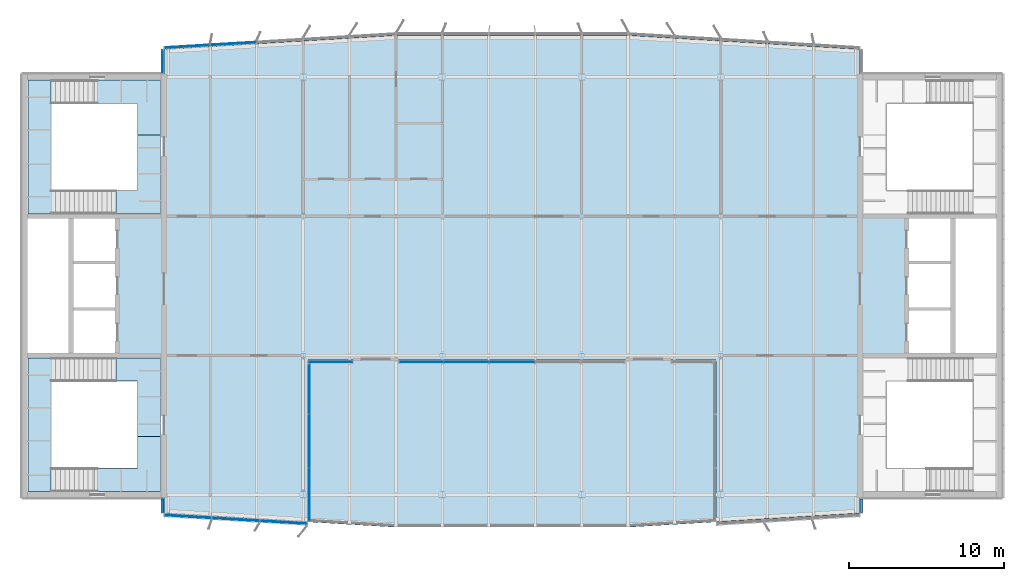
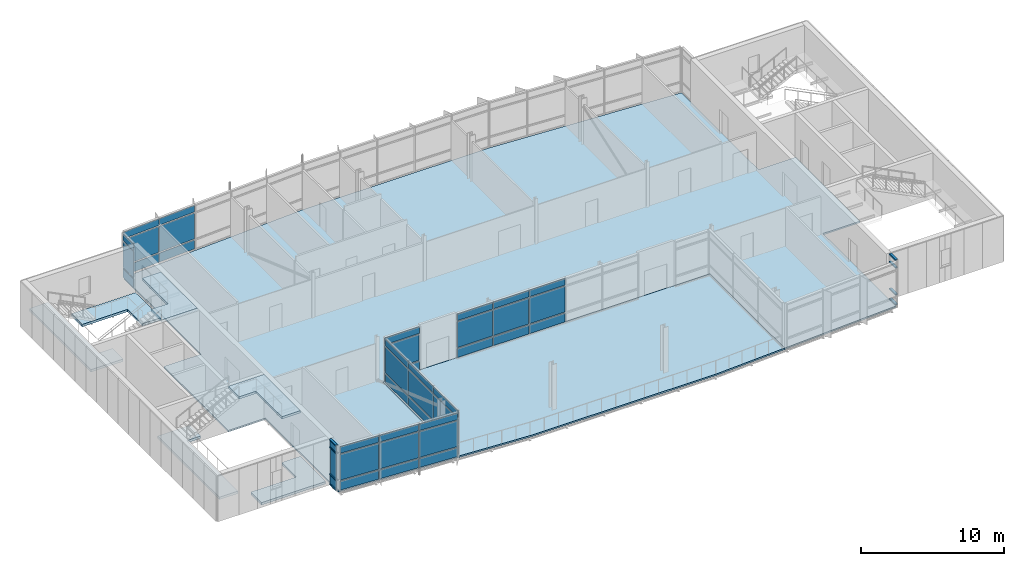
# One storey, part 10 of 19: 42 plates, 8 members, 8 slabs, 10 elements without a shape of their own.
"""IFC4 building model written with IfcOpenShell, lengths in metres."""

import ifcopenshell
import ifcopenshell.guid

model = None  # the IFC model being written
_history = None  # IfcOwnerHistory: only IFC2X3 demands one
_inside = {}  # id of a spatial element -> (the spatial element, [elements in it])
_under = {}  # id of a project, library or spatial element -> (it, [spatial elements below it])
_declared = {}  # id of a project -> (the project, [libraries it declares])
_typed = {}  # id of a type object -> (the type object, [elements of that type])
_made_of = {}  # id of a material, layer set ... -> (it, [elements and type objects made of it])


def new_model(schema):
    """Start an empty IFC model of exactly this schema.

    Asked for "IFC4X3", IfcOpenShell would pick the latest addendum, in which some entities
    have other attributes; the version numbers below select the first issue.
    IFC2X3 requires an IfcOwnerHistory on every rooted entity: one is made here for all.
    """
    global model, _history
    if schema == "IFC4X3":
        model = ifcopenshell.file(schema_version=(4, 3, 0, 0))
    else:
        model = ifcopenshell.file(schema=schema)
    _inside.clear()
    _under.clear()
    _declared.clear()
    _typed.clear()
    _made_of.clear()
    _history = None
    if model.schema == "IFC2X3":
        org = make("IfcOrganization", Name="unknown")
        user = make(
            "IfcPersonAndOrganization",
            ThePerson=make("IfcPerson", FamilyName="unknown"),
            TheOrganization=org,
        )
        app = make(
            "IfcApplication",
            ApplicationDeveloper=org,
            Version="unknown",
            ApplicationFullName="unknown",
            ApplicationIdentifier="unknown",
        )
        _history = make(
            "IfcOwnerHistory",
            OwningUser=user,
            OwningApplication=app,
            ChangeAction="ADDED",
            CreationDate=0,
        )
    return model


def make(cls, **values):
    """One entity of the class cls with the attributes given. An attribute that is None is left unset."""
    return model.create_entity(
        cls, **{name: value for name, value in values.items() if value is not None}
    )


def rooted(cls, **values):
    """An entity with a GlobalId (a new one), such as an element, a storey or a relation."""
    return make(cls, GlobalId=ifcopenshell.guid.new(), OwnerHistory=_history, **values)


def si_unit(unit_type, name, prefix=None):
    """IfcSIUnit, for example si_unit("LENGTHUNIT", "METRE", prefix="MILLI")."""
    return make("IfcSIUnit", UnitType=unit_type, Prefix=prefix, Name=name)


def assignment(units):
    """IfcUnitAssignment: the units of a project."""
    return None if units is None else make("IfcUnitAssignment", Units=units)


def point(xyz):
    """IfcCartesianPoint."""
    return None if xyz is None else make("IfcCartesianPoint", Coordinates=xyz)


def direction(xyz):
    """IfcDirection."""
    return None if xyz is None else make("IfcDirection", DirectionRatios=xyz)


def frame(location, z_axis=None, x_axis=None):
    """IfcAxis2Placement3D, a coordinate frame: its origin and axes. An axis left out is left unset."""
    return make(
        "IfcAxis2Placement3D",
        Location=point(location),
        Axis=direction(z_axis),
        RefDirection=direction(x_axis),
    )


def frame_2d(location, x_axis=None):
    """IfcAxis2Placement2D, a coordinate frame in the plane: its origin and x axis."""
    return make(
        "IfcAxis2Placement2D", Location=point(location), RefDirection=direction(x_axis)
    )


def origin():
    """The frame at (0, 0, 0) with its axes left unset."""
    return frame((0.0, 0.0, 0.0))


def origin_2d():
    """The frame at (0, 0) in the plane with its x axis left unset."""
    return frame_2d((0.0, 0.0))


def place(relative_to, where):
    """IfcLocalPlacement: puts the frame where relative to a parent placement (None: the world)."""
    return make(
        "IfcLocalPlacement", PlacementRelTo=relative_to, RelativePlacement=where
    )


def context(
    kind, dimensions, precision=None, world=None, true_north=None, identifier=None
):
    """IfcGeometricRepresentationContext, for example the 3D "Model" context."""
    return make(
        "IfcGeometricRepresentationContext",
        ContextIdentifier=identifier,
        ContextType=kind,
        CoordinateSpaceDimension=dimensions,
        Precision=precision,
        WorldCoordinateSystem=world,
        TrueNorth=true_north,
    )


def subcontext(parent, identifier, kind, view, scale=None):
    """IfcGeometricRepresentationSubContext, for example "Body" below "Model"."""
    return make(
        "IfcGeometricRepresentationSubContext",
        ContextIdentifier=identifier,
        ContextType=kind,
        ParentContext=parent,
        TargetScale=scale,
        TargetView=view,
    )


def project(units=None, contexts=None):
    """IfcProject with its units and contexts."""
    return rooted(
        "IfcProject",
        Name="project",
        RepresentationContexts=contexts,
        UnitsInContext=assignment(units),
    )


def spatial(cls, under=None, at=None, **own):
    """A site, building, storey or space (cls), placed at a placement, below another one or the project."""
    s = rooted(cls, ObjectPlacement=at, **own)
    if under is not None:
        _under.setdefault(under.id(), (under, []))[1].append(s)
    return s


def polyline(points):
    """IfcPolyline through the points."""
    return make("IfcPolyline", Points=[point(p) for p in points])


def profile(cls, at=None, kind="AREA", **sizes):
    """A parametric profile (cls). Its sizes go by their IFC names, for example OverallWidth=200.0."""
    return make(cls, ProfileType=kind, Position=at, **sizes)


def rectangle(**sizes):
    """IfcRectangleProfileDef."""
    return profile("IfcRectangleProfileDef", **sizes)


def outline(outer, holes=None, kind="AREA"):
    """IfcArbitraryClosedProfileDef: a profile drawn as a closed curve; with holes, ...WithVoids."""
    if holes is None:
        return make("IfcArbitraryClosedProfileDef", ProfileType=kind, OuterCurve=outer)
    return make(
        "IfcArbitraryProfileDefWithVoids",
        ProfileType=kind,
        OuterCurve=outer,
        InnerCurves=holes,
    )


def extrude(swept, where, along, depth):
    """IfcExtrudedAreaSolid: the profile swept, set in the frame where, extruded along a direction by depth."""
    return make(
        "IfcExtrudedAreaSolid",
        SweptArea=swept,
        Position=where,
        ExtrudedDirection=direction(along),
        Depth=depth,
    )


def shape(context_of_items, identifier, shape_type, items):
    """IfcShapeRepresentation: the items that make up one representation, for example the "Body"."""
    return make(
        "IfcShapeRepresentation",
        ContextOfItems=context_of_items,
        RepresentationIdentifier=identifier,
        RepresentationType=shape_type,
        Items=items,
    )


def material(Name=None, Category=None):
    """IfcMaterial."""
    return make("IfcMaterial", Name=Name, Category=Category)


def layer(
    of_material, thickness, ventilated=None, Name=None, Category=None, Priority=None
):
    """IfcMaterialLayer: one layer of a wall or slab, of a material (None: an air gap)."""
    return make(
        "IfcMaterialLayer",
        Material=of_material,
        LayerThickness=thickness,
        IsVentilated=ventilated,
        Name=Name,
        Category=Category,
        Priority=Priority,
    )


def layer_set(layers, Name=None):
    """IfcMaterialLayerSet."""
    return make("IfcMaterialLayerSet", MaterialLayers=layers, LayerSetName=Name)


def material_profile(
    of_material, cross_section, Name=None, Category=None, Priority=None
):
    """IfcMaterialProfile: a cross section and its material."""
    return make(
        "IfcMaterialProfile",
        Name=Name,
        Material=of_material,
        Profile=cross_section,
        Priority=Priority,
        Category=Category,
    )


def profile_set(profiles, Name=None, composite=None):
    """IfcMaterialProfileSet."""
    return make(
        "IfcMaterialProfileSet",
        Name=Name,
        MaterialProfiles=profiles,
        CompositeProfile=composite,
    )


def made_of(thing, what):
    """Note that an element or type object is made of a material, layer set ...; save() writes the relation."""
    if what is not None:
        _made_of.setdefault(what.id(), (what, []))[1].append(thing)
    return thing


def type_object(cls, material=None, **own):
    """A type object (cls), such as IfcWallType, which elements share."""
    return made_of(rooted(cls, **own), material)


def element(
    cls,
    number,
    at=None,
    inside=None,
    cuts=None,
    type_object=None,
    material=None,
    context=None,
    identifier="Body",
    shape_type=None,
    held_by="IfcProductDefinitionShape",
    body=None,
    shapes=None,
    **own,
):
    """One element of the class cls, such as IfcWall. Its Tag is "e" and its number.

    at: its placement. inside: the storey or other place that contains it. cuts: it is an
    opening in that element (IfcRelVoidsElement). A single representation is given by context,
    identifier, shape_type and body (its items); several are given by shapes. held_by: the class
    of the entity that holds the representations. save() writes the other relations.
    """
    e = rooted(cls, Tag="e%d" % number, ObjectPlacement=at, **own)
    if body is not None:
        shapes = [shape(context, identifier, shape_type, body)]
    if shapes is not None:
        e.Representation = make(held_by, Representations=shapes)
    if inside is not None:
        _inside.setdefault(inside.id(), (inside, []))[1].append(e)
    if cuts is not None:
        rooted(
            "IfcRelVoidsElement", RelatingBuildingElement=cuts, RelatedOpeningElement=e
        )
    if type_object is not None:
        _typed.setdefault(type_object.id(), (type_object, []))[1].append(e)
    return made_of(e, material)


def aggregate(whole, parts):
    """IfcRelAggregates: a whole, such as a stair, and the parts it consists of."""
    return rooted("IfcRelAggregates", RelatingObject=whole, RelatedObjects=parts)


def save(model, path):
    """Write the relations noted so far, then the file.

    IfcRelAggregates (storeys below a building ...), IfcRelContainedInSpatialStructure (elements
    in a storey), IfcRelDefinesByType, IfcRelAssociatesMaterial and IfcRelDeclares: one each for
    every whole, place, type object, material and project.
    """
    for whole, parts in _under.values():
        aggregate(whole, parts)
    for where, things in _inside.values():
        rooted(
            "IfcRelContainedInSpatialStructure",
            RelatedElements=things,
            RelatingStructure=where,
        )
    for kind, things in _typed.values():
        rooted("IfcRelDefinesByType", RelatedObjects=things, RelatingType=kind)
    for what, things in _made_of.values():
        rooted("IfcRelAssociatesMaterial", RelatedObjects=things, RelatingMaterial=what)
    for by, libraries in _declared.values():
        rooted("IfcRelDeclares", RelatingContext=by, RelatedDefinitions=libraries)
    model.write(path)


model = new_model("IFC4")

# Units and contexts
model_context = context("Model", 3, precision=1e-05, world=origin(), true_north=direction((0.0, 1.0)))
body_context = subcontext(model_context, "Body", "Model", "MODEL_VIEW")
ifc_project = project(units=[si_unit("LENGTHUNIT", "METRE"), si_unit("AREAUNIT", "SQUARE_METRE"), si_unit("VOLUMEUNIT", "CUBIC_METRE"), si_unit("PLANEANGLEUNIT", "RADIAN"), si_unit("MASSUNIT", "GRAM", prefix="KILO")], contexts=[model_context])

# Site, building, storey
site_placement = place(None, origin())
site = spatial("IfcSite", under=ifc_project, at=site_placement, CompositionType="ELEMENT")
building_placement = place(site_placement, origin())
building = spatial("IfcBuilding", under=site, at=building_placement, Name="Azimuth Sports and Learning Centre", CompositionType="ELEMENT")
storey_placement = place(building_placement, frame((0.0, 0.0, 67.5)))
storey = spatial("IfcBuildingStorey", under=building, at=storey_placement, Name="L15", CompositionType="ELEMENT", Elevation=67.5)

# Curtain wall, members
ifc_material_1 = material(Name="Aluminium and glass", Category="aluminium")
curtain_wall_type_1 = type_object("IfcCurtainWallType", Name="Curtain wall tower return 180", PredefinedType="NOTDEFINED", material=ifc_material_1)
curtain_wall_1_placement = place(storey_placement, origin())
curtain_wall_1 = element("IfcCurtainWall", 1, at=curtain_wall_1_placement, inside=storey, type_object=curtain_wall_type_1, Name="Curtain wall CW15-001", PredefinedType="NOTDEFINED")
ifc_material_2 = material(Name="Aluminium", Category="aluminium")
ifc_material_profile = material_profile(ifc_material_2, rectangle(XDim=0.179931640625, YDim=0.10009765625, at=origin_2d()), Name="Transom 100x180")
ifc_profile_set = profile_set([ifc_material_profile], Name="Aluminium")
member_type = type_object("IfcMemberType", Name="Transom 100x180", PredefinedType="USERDEFINED", material=ifc_profile_set)
member_1_placement = place(storey_placement, frame((62.909912109375, 89.739990234375, 0.050048828125), z_axis=(0.0, -1.0, 0.0), x_axis=(1.0, 0.0, 0.0)))
member_1 = element("IfcMember", 2, at=member_1_placement, type_object=member_type, Name="CW15-001 transom 1.1", ObjectType="TRANSOM", PredefinedType="USERDEFINED", context=body_context, shape_type="SweptSolid", body=[
    extrude(rectangle(XDim=0.179931640625, YDim=0.10009765625, at=origin_2d()), origin(), (0.0, 0.0, 1.0), 0.8798828125),
])
member_2_placement = place(storey_placement, frame((62.909912109375, 89.739990234375, 0.89990234375), z_axis=(0.0, -1.0, 0.0), x_axis=(1.0, 0.0, 0.0)))
member_2 = element("IfcMember", 3, at=member_2_placement, type_object=member_type, Name="CW15-001 transom 1.2", ObjectType="TRANSOM", PredefinedType="USERDEFINED", context=body_context, shape_type="SweptSolid", body=[
    extrude(rectangle(XDim=0.179931640625, YDim=0.10009765625, at=origin_2d()), origin(), (0.0, 0.0, 1.0), 0.8798828125),
])
member_3_placement = place(storey_placement, frame((62.909912109375, 89.739990234375, 3.199951171875), z_axis=(0.0, -1.0, 0.0), x_axis=(1.0, 0.0, 0.0)))
member_3 = element("IfcMember", 4, at=member_3_placement, type_object=member_type, Name="CW15-001 transom 1.3", ObjectType="TRANSOM", PredefinedType="USERDEFINED", context=body_context, shape_type="SweptSolid", body=[
    extrude(rectangle(XDim=0.179931640625, YDim=0.10009765625, at=origin_2d()), origin(), (0.0, 0.0, 1.0), 0.8798828125),
])
member_4_placement = place(storey_placement, frame((62.909912109375, 89.739990234375, 3.85009765625), z_axis=(0.0, -1.0, 0.0), x_axis=(1.0, 0.0, 0.0)))
member_4 = element("IfcMember", 5, at=member_4_placement, type_object=member_type, Name="CW15-001 transom 1.4", ObjectType="TRANSOM", PredefinedType="USERDEFINED", context=body_context, shape_type="SweptSolid", body=[
    extrude(rectangle(XDim=0.179931640625, YDim=0.10009765625, at=origin_2d()), origin(), (0.0, 0.0, 1.0), 0.8798828125),
])

curtain_wall_2_placement = place(storey_placement, origin())
curtain_wall_2 = element("IfcCurtainWall", 6, at=curtain_wall_2_placement, inside=storey, type_object=curtain_wall_type_1, Name="Curtain wall CW15-009", PredefinedType="NOTDEFINED")
member_5_placement = place(storey_placement, frame((108.090087890625, 88.860107421875, 0.050048828125), z_axis=(0.0, 1.0, 0.0), x_axis=(-1.0, 0.0, 0.0)))
member_5 = element("IfcMember", 7, at=member_5_placement, type_object=member_type, Name="CW15-009 transom 1.1", ObjectType="TRANSOM", PredefinedType="USERDEFINED", context=body_context, shape_type="SweptSolid", body=[
    extrude(rectangle(XDim=0.179931640625, YDim=0.10009765625, at=origin_2d()), origin(), (0.0, 0.0, 1.0), 0.8798828125),
])
member_6_placement = place(storey_placement, frame((108.090087890625, 88.860107421875, 0.89990234375), z_axis=(0.0, 1.0, 0.0), x_axis=(-1.0, 0.0, 0.0)))
member_6 = element("IfcMember", 8, at=member_6_placement, type_object=member_type, Name="CW15-009 transom 1.2", ObjectType="TRANSOM", PredefinedType="USERDEFINED", context=body_context, shape_type="SweptSolid", body=[
    extrude(rectangle(XDim=0.179931640625, YDim=0.10009765625, at=origin_2d()), origin(), (0.0, 0.0, 1.0), 0.8798828125),
])
member_7_placement = place(storey_placement, frame((108.090087890625, 88.860107421875, 3.199951171875), z_axis=(0.0, 1.0, 0.0), x_axis=(-1.0, 0.0, 0.0)))
member_7 = element("IfcMember", 9, at=member_7_placement, type_object=member_type, Name="CW15-009 transom 1.3", ObjectType="TRANSOM", PredefinedType="USERDEFINED", context=body_context, shape_type="SweptSolid", body=[
    extrude(rectangle(XDim=0.179931640625, YDim=0.10009765625, at=origin_2d()), origin(), (0.0, 0.0, 1.0), 0.8798828125),
])
member_8_placement = place(storey_placement, frame((108.090087890625, 88.860107421875, 3.85009765625), z_axis=(0.0, 1.0, 0.0), x_axis=(-1.0, 0.0, 0.0)))
member_8 = element("IfcMember", 10, at=member_8_placement, type_object=member_type, Name="CW15-009 transom 1.4", ObjectType="TRANSOM", PredefinedType="USERDEFINED", context=body_context, shape_type="SweptSolid", body=[
    extrude(rectangle(XDim=0.179931640625, YDim=0.10009765625, at=origin_2d()), origin(), (0.0, 0.0, 1.0), 0.8798828125),
])
aggregate(curtain_wall_2, [member_5, member_6, member_7, member_8])

# Slab
ifc_material_3 = material(Name="Concrete C30/37", Category="concrete")
ifc_layer_1 = layer(ifc_material_3, 0.1298828125)
ifc_layer_set_1 = layer_set([ifc_layer_1], Name="Concrete C30/37")
slab_type_1 = type_object("IfcSlabType", Name="Composite floor slab 130", PredefinedType="FLOOR", material=ifc_layer_set_1)
slab_1_placement = place(storey_placement, frame((0.0, 0.0, -0.1298828125)))
element("IfcSlab", 11, at=slab_1_placement, inside=storey, type_object=slab_type_1, Name="Slab TOWER L15", PredefinedType="FLOOR", context=body_context, shape_type="SweptSolid", body=[
    extrude(outline(polyline([(72.300048828125, 88.241943359375), (72.300048828125, 98.699951171875), (98.699951171875, 98.699951171875), (98.699951171875, 88.241943359375), (108.0, 88.800048828125), (108.0, 99.0), (111.0, 99.0), (111.0, 108.0), (108.0, 108.0), (108.0, 118.800048828125), (93.0, 119.699951171875), (78.0, 119.699951171875), (63.0, 118.800048828125), (63.0, 108.0), (60.0, 108.0), (60.0, 99.0), (63.0, 99.0), (63.0, 88.800048828125), (72.300048828125, 88.241943359375)])), origin(), (0.0, 0.0, 1.0), 0.1298828125),
])

# Stair, slabs
ifc_material_4 = material(Name="Concrete C32/40", Category="concrete")
stair_type = type_object("IfcStairType", Name="Square-well stair core 3900 storey", PredefinedType="THREE_QUARTER_TURN_STAIR", material=ifc_material_4)
stair_1_placement = place(storey_placement, origin())
stair_1 = element("IfcStair", 12, at=stair_1_placement, inside=storey, type_object=stair_type, Name="Stair W1 L15-L16", PredefinedType="THREE_QUARTER_TURN_STAIR")
ifc_material_5 = material(Name="Concrete C32/40", Category="concrete")
ifc_layer_2 = layer(ifc_material_5, 0.199951171875)
ifc_layer_set_2 = layer_set([ifc_layer_2], Name="Concrete C32/40")
slab_type_2 = type_object("IfcSlabType", Name="Concrete stair landing", PredefinedType="LANDING", material=ifc_layer_set_2)
slab_2_placement = place(storey_placement, frame((0.0, 0.0, -0.199951171875)))
slab_2 = element("IfcSlab", 13, at=slab_2_placement, type_object=slab_type_2, Name="Stair W1 L15 landing 1", PredefinedType="LANDING", context=body_context, shape_type="SweptSolid", body=[
    extrude(outline(polyline([(62.7900390625, 90.2099609375), (62.7900390625, 93.75), (61.2900390625, 93.75), (61.2900390625, 91.7099609375), (57.610107421875, 91.7099609375), (57.610107421875, 90.2099609375), (62.7900390625, 90.2099609375)])), origin(), (0.0, 0.0, 1.0), 0.199951171875),
])
slab_3_placement = place(storey_placement, frame((0.0, 0.0, 1.449951171875)))
slab_3 = element("IfcSlab", 14, at=slab_3_placement, type_object=slab_type_2, Name="Stair W1 L15 landing 2", PredefinedType="LANDING", context=body_context, shape_type="SweptSolid", body=[
    extrude(outline(polyline([(55.7099609375, 91.7099609375), (55.7099609375, 97.340087890625), (56.81005859375, 97.340087890625), (56.81005859375, 98.840087890625), (54.2099609375, 98.840087890625), (54.2099609375, 90.2099609375), (55.710693359375, 90.2099609375), (55.710693359375, 91.7099609375), (55.7099609375, 91.7099609375)])), origin(), (0.0, 0.0, 1.0), 0.199951171875),
])
slab_4_placement = place(storey_placement, frame((0.0, 0.0, 3.699951171875)))
slab_4 = element("IfcSlab", 15, at=slab_4_placement, type_object=slab_type_2, Name="Stair W1 L15 landing 3", PredefinedType="LANDING", context=body_context, shape_type="SweptSolid", body=[
    extrude(outline(polyline([(61.2900390625, 97.340087890625), (61.2900390625, 93.75), (62.7900390625, 93.75), (62.7900390625, 98.840087890625), (59.9091796875, 98.840087890625), (59.9091796875, 97.340087890625), (61.2900390625, 97.340087890625)])), origin(), (0.0, 0.0, 1.0), 0.199951171875),
])
aggregate(stair_1, [slab_2, slab_3, slab_4])

stair_2_placement = place(storey_placement, origin())
stair_2 = element("IfcStair", 16, at=stair_2_placement, inside=storey, type_object=stair_type, Name="Stair W2 L15-L16", PredefinedType="THREE_QUARTER_TURN_STAIR")
slab_5_placement = place(storey_placement, frame((0.0, 0.0, -0.199951171875)))
slab_5 = element("IfcSlab", 17, at=slab_5_placement, type_object=slab_type_2, Name="Stair W2 L15 landing 1", PredefinedType="LANDING", context=body_context, shape_type="SweptSolid", body=[
    extrude(outline(polyline([(57.610107421875, 115.2900390625), (61.2900390625, 115.2900390625), (61.2900390625, 113.25), (62.7900390625, 113.25), (62.7900390625, 116.7900390625), (57.610107421875, 116.7900390625), (57.610107421875, 115.2900390625)])), origin(), (0.0, 0.0, 1.0), 0.199951171875),
])
slab_6_placement = place(storey_placement, frame((0.0, 0.0, 1.449951171875)))
slab_6 = element("IfcSlab", 18, at=slab_6_placement, type_object=slab_type_2, Name="Stair W2 L15 landing 2", PredefinedType="LANDING", context=body_context, shape_type="SweptSolid", body=[
    extrude(outline(polyline([(55.7099609375, 115.2900390625), (55.710693359375, 115.2900390625), (55.710693359375, 116.7900390625), (54.2099609375, 116.7900390625), (54.2099609375, 108.159912109375), (56.81005859375, 108.159912109375), (56.81005859375, 109.659912109375), (55.7099609375, 109.659912109375), (55.7099609375, 115.2900390625)])), origin(), (0.0, 0.0, 1.0), 0.199951171875),
])
slab_7_placement = place(storey_placement, frame((0.0, 0.0, 3.699951171875)))
slab_7 = element("IfcSlab", 19, at=slab_7_placement, type_object=slab_type_2, Name="Stair W2 L15 landing 3", PredefinedType="LANDING", context=body_context, shape_type="SweptSolid", body=[
    extrude(outline(polyline([(61.2900390625, 109.659912109375), (59.9091796875, 109.659912109375), (59.9091796875, 108.159912109375), (62.7900390625, 108.159912109375), (62.7900390625, 113.25), (61.2900390625, 113.25), (61.2900390625, 109.659912109375)])), origin(), (0.0, 0.0, 1.0), 0.199951171875),
])
aggregate(stair_2, [slab_5, slab_6, slab_7])

# Slab
ifc_material_6 = material(Name="Concrete C30/37", Category="concrete")
ifc_layer_3 = layer(ifc_material_6, 0.1298828125)
ifc_layer_set_3 = layer_set([ifc_layer_3], Name="Concrete C30/37")
slab_type_3 = type_object("IfcSlabType", Name="Sky court deck slab 130", PredefinedType="ROOF", material=ifc_layer_set_3)
slab_8_placement = place(storey_placement, frame((0.0, 0.0, -0.1298828125)))
element("IfcSlab", 20, at=slab_8_placement, inside=storey, type_object=slab_type_3, Name="Slab COURT L15", PredefinedType="ROOF", context=body_context, shape_type="SweptSolid", body=[
    extrude(outline(polyline([(78.0, 87.89990234375), (93.0, 87.89990234375), (98.699951171875, 88.241943359375), (98.699951171875, 98.699951171875), (72.300048828125, 98.699951171875), (72.300048828125, 88.241943359375), (78.0, 87.89990234375)])), origin(), (0.0, 0.0, 1.0), 0.1298828125),
])

# Plate
ifc_material_7 = material(Name="Insulated aluminium panel", Category="aluminium")
ifc_layer_4 = layer(ifc_material_7, 0.050048828125)
ifc_layer_set_4 = layer_set([ifc_layer_4], Name="Insulated aluminium panel")
plate_type_1 = type_object("IfcPlateType", Name="Spandrel panel 50 mm", PredefinedType="CURTAIN_PANEL", material=ifc_layer_set_4)
plate_1_placement = place(storey_placement, frame((62.909912109375, 89.300048828125, 0.10009765625), z_axis=(0.0, 0.0, 1.0), x_axis=(0.0, -1.0, 0.0)))
plate_1 = element("IfcPlate", 21, at=plate_1_placement, type_object=plate_type_1, Name="CW15-001 panel 1.1", PredefinedType="CURTAIN_PANEL", context=body_context, shape_type="SweptSolid", body=[
    extrude(rectangle(XDim=0.8798828125, YDim=0.050048828125, at=origin_2d()), origin(), (0.0, 0.0, 1.0), 0.75),
])

plate_2_placement = place(storey_placement, frame((62.909912109375, 89.300048828125, 3.25), z_axis=(0.0, 0.0, 1.0), x_axis=(0.0, -1.0, 0.0)))
plate_2 = element("IfcPlate", 22, at=plate_2_placement, type_object=plate_type_1, Name="CW15-001 panel 1.3", PredefinedType="CURTAIN_PANEL", context=body_context, shape_type="SweptSolid", body=[
    extrude(rectangle(XDim=0.8798828125, YDim=0.050048828125, at=origin_2d()), origin(), (0.0, 0.0, 1.0), 0.550048828125),
])

# Curtain wall, plates
ifc_material_8 = material(Name="Aluminium and glass", Category="aluminium")
curtain_wall_type_2 = type_object("IfcCurtainWallType", Name="Curtain wall tower south 240", PredefinedType="NOTDEFINED", material=ifc_material_8)
curtain_wall_3_placement = place(storey_placement, origin())
curtain_wall_3 = element("IfcCurtainWall", 23, at=curtain_wall_3_placement, inside=storey, type_object=curtain_wall_type_2, Name="Curtain wall CW15-002", PredefinedType="NOTDEFINED")
plate_3_placement = place(storey_placement, frame((64.560302734375, 88.586181640625, 0.10009765625), z_axis=(0.0, 0.0, 1.0), x_axis=(0.998204863401, -0.059891991812, 0.0)))
plate_3 = element("IfcPlate", 24, at=plate_3_placement, type_object=plate_type_1, Name="CW15-002 panel 1.1", PredefinedType="CURTAIN_PANEL", context=body_context, shape_type="SweptSolid", body=[
    extrude(rectangle(XDim=3.00048828125, YDim=0.050048828125, at=origin_2d()), origin(), (0.0, 0.0, 1.0), 0.75),
])
plate_4_placement = place(storey_placement, frame((64.560302734375, 88.586181640625, 3.25), z_axis=(0.0, 0.0, 1.0), x_axis=(0.998204863401, -0.059891991812, 0.0)))
plate_4 = element("IfcPlate", 25, at=plate_4_placement, type_object=plate_type_1, Name="CW15-002 panel 1.3", PredefinedType="CURTAIN_PANEL", context=body_context, shape_type="SweptSolid", body=[
    extrude(rectangle(XDim=3.00048828125, YDim=0.050048828125, at=origin_2d()), origin(), (0.0, 0.0, 1.0), 0.550048828125),
])
plate_5_placement = place(storey_placement, frame((67.642822265625, 88.401123046875, 0.10009765625), z_axis=(0.0, 0.0, 1.0), x_axis=(0.998204863401, -0.059891991812, 0.0)))
plate_5 = element("IfcPlate", 26, at=plate_5_placement, type_object=plate_type_1, Name="CW15-002 panel 2.1", PredefinedType="CURTAIN_PANEL", context=body_context, shape_type="SweptSolid", body=[
    extrude(rectangle(XDim=3.03564453125, YDim=0.050048828125, at=origin_2d()), origin(), (0.0, 0.0, 1.0), 0.75),
])
plate_6_placement = place(storey_placement, frame((67.642822265625, 88.401123046875, 3.25), z_axis=(0.0, 0.0, 1.0), x_axis=(0.998204863401, -0.059891991812, 0.0)))
plate_6 = element("IfcPlate", 27, at=plate_6_placement, type_object=plate_type_1, Name="CW15-002 panel 2.3", PredefinedType="CURTAIN_PANEL", context=body_context, shape_type="SweptSolid", body=[
    extrude(rectangle(XDim=3.03564453125, YDim=0.050048828125, at=origin_2d()), origin(), (0.0, 0.0, 1.0), 0.550048828125),
])
plate_7_placement = place(storey_placement, frame((70.725341796875, 88.21630859375, 0.10009765625), z_axis=(0.0, 0.0, 1.0), x_axis=(0.998204863401, -0.059891991812, 0.0)))
plate_7 = element("IfcPlate", 28, at=plate_7_placement, type_object=plate_type_1, Name="CW15-002 panel 3.1", PredefinedType="CURTAIN_PANEL", context=body_context, shape_type="SweptSolid", body=[
    extrude(rectangle(XDim=3.00048828125, YDim=0.050048828125, at=origin_2d()), origin(), (0.0, 0.0, 1.0), 0.75),
])
plate_8_placement = place(storey_placement, frame((70.725341796875, 88.21630859375, 3.25), z_axis=(0.0, 0.0, 1.0), x_axis=(0.998204863401, -0.059891991812, 0.0)))
plate_8 = element("IfcPlate", 29, at=plate_8_placement, type_object=plate_type_1, Name="CW15-002 panel 3.3", PredefinedType="CURTAIN_PANEL", context=body_context, shape_type="SweptSolid", body=[
    extrude(rectangle(XDim=3.00048828125, YDim=0.050048828125, at=origin_2d()), origin(), (0.0, 0.0, 1.0), 0.550048828125),
])

curtain_wall_4_placement = place(storey_placement, origin())
curtain_wall_4 = element("IfcCurtainWall", 30, at=curtain_wall_4_placement, inside=storey, type_object=curtain_wall_type_1, Name="Curtain wall CW15-003", PredefinedType="NOTDEFINED")
plate_9_placement = place(storey_placement, frame((72.389892578125, 90.0, 0.10009765625), z_axis=(0.0, 0.0, 1.0), x_axis=(0.0, 1.0, 0.0)))
plate_9 = element("IfcPlate", 31, at=plate_9_placement, type_object=plate_type_1, Name="CW15-003 panel 1.1", PredefinedType="CURTAIN_PANEL", context=body_context, shape_type="SweptSolid", body=[
    extrude(rectangle(XDim=3.39599609375, YDim=0.050048828125, at=origin_2d()), origin(), (0.0, 0.0, 1.0), 0.75),
])
plate_10_placement = place(storey_placement, frame((72.389892578125, 90.0, 0.9501953125), z_axis=(0.0, 0.0, 1.0), x_axis=(0.0, 1.0, 0.0)))
plate_10 = element("IfcPlate", 32, at=plate_10_placement, type_object=plate_type_1, Name="CW15-003 panel 1.2", PredefinedType="CURTAIN_PANEL", context=body_context, shape_type="SweptSolid", body=[
    extrude(rectangle(XDim=3.39599609375, YDim=0.050048828125, at=origin_2d()), origin(), (0.0, 0.0, 1.0), 2.199951171875),
])
plate_11_placement = place(storey_placement, frame((72.389892578125, 90.0, 3.25), z_axis=(0.0, 0.0, 1.0), x_axis=(0.0, 1.0, 0.0)))
plate_11 = element("IfcPlate", 33, at=plate_11_placement, type_object=plate_type_1, Name="CW15-003 panel 1.3", PredefinedType="CURTAIN_PANEL", context=body_context, shape_type="SweptSolid", body=[
    extrude(rectangle(XDim=3.39599609375, YDim=0.050048828125, at=origin_2d()), origin(), (0.0, 0.0, 1.0), 0.550048828125),
])
plate_12_placement = place(storey_placement, frame((72.389892578125, 93.470947265625, 0.10009765625), z_axis=(0.0, 0.0, 1.0), x_axis=(0.0, 1.0, 0.0)))
plate_12 = element("IfcPlate", 34, at=plate_12_placement, type_object=plate_type_1, Name="CW15-003 panel 2.1", PredefinedType="CURTAIN_PANEL", context=body_context, shape_type="SweptSolid", body=[
    extrude(rectangle(XDim=3.426025390625, YDim=0.050048828125, at=origin_2d()), origin(), (0.0, 0.0, 1.0), 0.75),
])
plate_13_placement = place(storey_placement, frame((72.389892578125, 93.470947265625, 0.9501953125), z_axis=(0.0, 0.0, 1.0), x_axis=(0.0, 1.0, 0.0)))
plate_13 = element("IfcPlate", 35, at=plate_13_placement, type_object=plate_type_1, Name="CW15-003 panel 2.2", PredefinedType="CURTAIN_PANEL", context=body_context, shape_type="SweptSolid", body=[
    extrude(rectangle(XDim=3.426025390625, YDim=0.050048828125, at=origin_2d()), origin(), (0.0, 0.0, 1.0), 2.199951171875),
])
plate_14_placement = place(storey_placement, frame((72.389892578125, 93.470947265625, 3.25), z_axis=(0.0, 0.0, 1.0), x_axis=(0.0, 1.0, 0.0)))
plate_14 = element("IfcPlate", 36, at=plate_14_placement, type_object=plate_type_1, Name="CW15-003 panel 2.3", PredefinedType="CURTAIN_PANEL", context=body_context, shape_type="SweptSolid", body=[
    extrude(rectangle(XDim=3.426025390625, YDim=0.050048828125, at=origin_2d()), origin(), (0.0, 0.0, 1.0), 0.550048828125),
])
plate_15_placement = place(storey_placement, frame((72.389892578125, 96.822021484375, 0.10009765625), z_axis=(0.0, 0.0, 1.0), x_axis=(0.0, 1.0, 0.0)))
plate_15 = element("IfcPlate", 37, at=plate_15_placement, type_object=plate_type_1, Name="CW15-003 panel 3.1", PredefinedType="CURTAIN_PANEL", context=body_context, shape_type="SweptSolid", body=[
    extrude(rectangle(XDim=3.156005859375, YDim=0.050048828125, at=origin_2d()), origin(), (0.0, 0.0, 1.0), 0.75),
])
plate_16_placement = place(storey_placement, frame((72.389892578125, 96.822021484375, 0.9501953125), z_axis=(0.0, 0.0, 1.0), x_axis=(0.0, 1.0, 0.0)))
plate_16 = element("IfcPlate", 38, at=plate_16_placement, type_object=plate_type_1, Name="CW15-003 panel 3.2", PredefinedType="CURTAIN_PANEL", context=body_context, shape_type="SweptSolid", body=[
    extrude(rectangle(XDim=3.156005859375, YDim=0.050048828125, at=origin_2d()), origin(), (0.0, 0.0, 1.0), 2.199951171875),
])
plate_17_placement = place(storey_placement, frame((72.389892578125, 96.822021484375, 3.25), z_axis=(0.0, 0.0, 1.0), x_axis=(0.0, 1.0, 0.0)))
plate_17 = element("IfcPlate", 39, at=plate_17_placement, type_object=plate_type_1, Name="CW15-003 panel 3.3", PredefinedType="CURTAIN_PANEL", context=body_context, shape_type="SweptSolid", body=[
    extrude(rectangle(XDim=3.156005859375, YDim=0.050048828125, at=origin_2d()), origin(), (0.0, 0.0, 1.0), 0.550048828125),
])
aggregate(curtain_wall_4, [plate_9, plate_10, plate_11, plate_12, plate_13, plate_14, plate_15, plate_16, plate_17])

curtain_wall_5_placement = place(storey_placement, origin())
curtain_wall_5 = element("IfcCurtainWall", 40, at=curtain_wall_5_placement, inside=storey, type_object=curtain_wall_type_2, Name="Curtain wall CW15-004", PredefinedType="NOTDEFINED")
plate_18_placement = place(storey_placement, frame((73.7666015625, 98.580078125, 0.10009765625), z_axis=(0.0, 0.0, 1.0), x_axis=(1.0, 0.0, 0.0)))
plate_18 = element("IfcPlate", 41, at=plate_18_placement, type_object=plate_type_1, Name="CW15-004 panel 1.1", PredefinedType="CURTAIN_PANEL", context=body_context, shape_type="SweptSolid", body=[
    extrude(rectangle(XDim=2.793212890625, YDim=0.050048828125, at=origin_2d()), origin(), (0.0, 0.0, 1.0), 0.75),
])
plate_19_placement = place(storey_placement, frame((73.7666015625, 98.580078125, 3.25), z_axis=(0.0, 0.0, 1.0), x_axis=(1.0, 0.0, 0.0)))
plate_19 = element("IfcPlate", 42, at=plate_19_placement, type_object=plate_type_1, Name="CW15-004 panel 1.3", PredefinedType="CURTAIN_PANEL", context=body_context, shape_type="SweptSolid", body=[
    extrude(rectangle(XDim=2.793212890625, YDim=0.050048828125, at=origin_2d()), origin(), (0.0, 0.0, 1.0), 0.550048828125),
])

curtain_wall_6_placement = place(storey_placement, origin())
curtain_wall_6 = element("IfcCurtainWall", 43, at=curtain_wall_6_placement, inside=storey, type_object=curtain_wall_type_2, Name="Curtain wall CW15-005", PredefinedType="NOTDEFINED")
plate_20_placement = place(storey_placement, frame((79.65087890625, 98.580078125, 0.10009765625), z_axis=(0.0, 0.0, 1.0), x_axis=(1.0, 0.0, 0.0)))
plate_20 = element("IfcPlate", 44, at=plate_20_placement, type_object=plate_type_1, Name="CW15-005 panel 1.1", PredefinedType="CURTAIN_PANEL", context=body_context, shape_type="SweptSolid", body=[
    extrude(rectangle(XDim=2.828369140625, YDim=0.050048828125, at=origin_2d()), origin(), (0.0, 0.0, 1.0), 0.75),
])
plate_21_placement = place(storey_placement, frame((79.65087890625, 98.580078125, 3.25), z_axis=(0.0, 0.0, 1.0), x_axis=(1.0, 0.0, 0.0)))
plate_21 = element("IfcPlate", 45, at=plate_21_placement, type_object=plate_type_1, Name="CW15-005 panel 1.3", PredefinedType="CURTAIN_PANEL", context=body_context, shape_type="SweptSolid", body=[
    extrude(rectangle(XDim=2.828369140625, YDim=0.050048828125, at=origin_2d()), origin(), (0.0, 0.0, 1.0), 0.550048828125),
])
plate_22_placement = place(storey_placement, frame((82.566650390625, 98.580078125, 0.10009765625), z_axis=(0.0, 0.0, 1.0), x_axis=(1.0, 0.0, 0.0)))
plate_22 = element("IfcPlate", 46, at=plate_22_placement, type_object=plate_type_1, Name="CW15-005 panel 2.1", PredefinedType="CURTAIN_PANEL", context=body_context, shape_type="SweptSolid", body=[
    extrude(rectangle(XDim=2.86328125, YDim=0.050048828125, at=origin_2d()), origin(), (0.0, 0.0, 1.0), 0.75),
])
plate_23_placement = place(storey_placement, frame((82.566650390625, 98.580078125, 3.25), z_axis=(0.0, 0.0, 1.0), x_axis=(1.0, 0.0, 0.0)))
plate_23 = element("IfcPlate", 47, at=plate_23_placement, type_object=plate_type_1, Name="CW15-005 panel 2.3", PredefinedType="CURTAIN_PANEL", context=body_context, shape_type="SweptSolid", body=[
    extrude(rectangle(XDim=2.86328125, YDim=0.050048828125, at=origin_2d()), origin(), (0.0, 0.0, 1.0), 0.550048828125),
])
plate_24_placement = place(storey_placement, frame((85.5, 98.580078125, 0.10009765625), z_axis=(0.0, 0.0, 1.0), x_axis=(1.0, 0.0, 0.0)))
plate_24 = element("IfcPlate", 48, at=plate_24_placement, type_object=plate_type_1, Name="CW15-005 panel 3.1", PredefinedType="CURTAIN_PANEL", context=body_context, shape_type="SweptSolid", body=[
    extrude(rectangle(XDim=2.86328125, YDim=0.050048828125, at=origin_2d()), origin(), (0.0, 0.0, 1.0), 0.75),
])
plate_25_placement = place(storey_placement, frame((85.5, 98.580078125, 3.25), z_axis=(0.0, 0.0, 1.0), x_axis=(1.0, 0.0, 0.0)))
plate_25 = element("IfcPlate", 49, at=plate_25_placement, type_object=plate_type_1, Name="CW15-005 panel 3.3", PredefinedType="CURTAIN_PANEL", context=body_context, shape_type="SweptSolid", body=[
    extrude(rectangle(XDim=2.86328125, YDim=0.050048828125, at=origin_2d()), origin(), (0.0, 0.0, 1.0), 0.550048828125),
])

ifc_material_9 = material(Name="Aluminium and glass", Category="aluminium")
curtain_wall_type_3 = type_object("IfcCurtainWallType", Name="Curtain wall tower north 180", PredefinedType="NOTDEFINED", material=ifc_material_9)
curtain_wall_7_placement = place(storey_placement, origin())
curtain_wall_7 = element("IfcCurtainWall", 50, at=curtain_wall_7_placement, inside=storey, type_object=curtain_wall_type_3, Name="Curtain wall CW15-013", PredefinedType="NOTDEFINED")
plate_26_placement = place(storey_placement, frame((67.49462890625, 119.159912109375, 0.10009765625), z_axis=(0.0, 0.0, 1.0), x_axis=(-0.998204863401, -0.059891991812, 0.0)))
plate_26 = element("IfcPlate", 51, at=plate_26_placement, type_object=plate_type_1, Name="CW15-013 panel 4.1", PredefinedType="CURTAIN_PANEL", context=body_context, shape_type="SweptSolid", body=[
    extrude(rectangle(XDim=2.9453125, YDim=0.050048828125, at=origin_2d()), origin(), (0.0, 0.0, 1.0), 0.75),
])
plate_27_placement = place(storey_placement, frame((67.49462890625, 119.159912109375, 3.25), z_axis=(0.0, 0.0, 1.0), x_axis=(-0.998204863401, -0.059891991812, 0.0)))
plate_27 = element("IfcPlate", 52, at=plate_27_placement, type_object=plate_type_1, Name="CW15-013 panel 4.3", PredefinedType="CURTAIN_PANEL", context=body_context, shape_type="SweptSolid", body=[
    extrude(rectangle(XDim=2.9453125, YDim=0.050048828125, at=origin_2d()), origin(), (0.0, 0.0, 1.0), 0.550048828125),
])
plate_28_placement = place(storey_placement, frame((64.509521484375, 118.980712890625, 0.10009765625), z_axis=(0.0, 0.0, 1.0), x_axis=(-0.998204863401, -0.059891991812, 0.0)))
plate_28 = element("IfcPlate", 53, at=plate_28_placement, type_object=plate_type_1, Name="CW15-013 panel 5.1", PredefinedType="CURTAIN_PANEL", context=body_context, shape_type="SweptSolid", body=[
    extrude(rectangle(XDim=2.915283203125, YDim=0.050048828125, at=origin_2d()), origin(), (0.0, 0.0, 1.0), 0.75),
])
plate_29_placement = place(storey_placement, frame((64.509521484375, 118.980712890625, 3.25), z_axis=(0.0, 0.0, 1.0), x_axis=(-0.998204863401, -0.059891991812, 0.0)))
plate_29 = element("IfcPlate", 54, at=plate_29_placement, type_object=plate_type_1, Name="CW15-013 panel 5.3", PredefinedType="CURTAIN_PANEL", context=body_context, shape_type="SweptSolid", body=[
    extrude(rectangle(XDim=2.915283203125, YDim=0.050048828125, at=origin_2d()), origin(), (0.0, 0.0, 1.0), 0.550048828125),
])

curtain_wall_8_placement = place(storey_placement, origin())
curtain_wall_8 = element("IfcCurtainWall", 55, at=curtain_wall_8_placement, inside=storey, type_object=curtain_wall_type_1, Name="Curtain wall CW15-014", PredefinedType="NOTDEFINED")
plate_30_placement = place(storey_placement, frame((62.909912109375, 118.0, 0.10009765625), z_axis=(0.0, 0.0, 1.0), x_axis=(0.0, -1.0, 0.0)))
plate_30 = element("IfcPlate", 56, at=plate_30_placement, type_object=plate_type_1, Name="CW15-014 panel 1.1", PredefinedType="CURTAIN_PANEL", context=body_context, shape_type="SweptSolid", body=[
    extrude(rectangle(XDim=1.47998046875, YDim=0.050048828125, at=origin_2d()), origin(), (0.0, 0.0, 1.0), 0.75),
])
plate_31_placement = place(storey_placement, frame((62.909912109375, 118.0, 3.25), z_axis=(0.0, 0.0, 1.0), x_axis=(0.0, -1.0, 0.0)))
plate_31 = element("IfcPlate", 57, at=plate_31_placement, type_object=plate_type_1, Name="CW15-014 panel 1.3", PredefinedType="CURTAIN_PANEL", context=body_context, shape_type="SweptSolid", body=[
    extrude(rectangle(XDim=1.47998046875, YDim=0.050048828125, at=origin_2d()), origin(), (0.0, 0.0, 1.0), 0.550048828125),
])

# Plate
ifc_material_10 = material(Name="Glass", Category="glass")
ifc_layer_5 = layer(ifc_material_10, 0.031982421875)
ifc_layer_set_5 = layer_set([ifc_layer_5], Name="Glass")
plate_type_2 = type_object("IfcPlateType", Name="Vision glass 32 mm", PredefinedType="CURTAIN_PANEL", material=ifc_layer_set_5)
plate_32_placement = place(storey_placement, frame((62.909912109375, 89.300048828125, 0.9501953125), z_axis=(0.0, 0.0, 1.0), x_axis=(0.0, -1.0, 0.0)))
plate_32 = element("IfcPlate", 58, at=plate_32_placement, type_object=plate_type_2, Name="CW15-001 panel 1.2", PredefinedType="CURTAIN_PANEL", context=body_context, shape_type="SweptSolid", body=[
    extrude(rectangle(XDim=0.8798828125, YDim=0.031982421875, at=origin_2d()), origin(), (0.0, 0.0, 1.0), 2.199951171875),
])

aggregate(curtain_wall_1, [member_1, member_2, member_3, member_4, plate_1, plate_32, plate_2])

plate_33_placement = place(storey_placement, frame((64.560302734375, 88.586181640625, 0.9501953125), z_axis=(0.0, 0.0, 1.0), x_axis=(0.998204863401, -0.059891991812, 0.0)))
plate_33 = element("IfcPlate", 59, at=plate_33_placement, type_object=plate_type_2, Name="CW15-002 panel 1.2", PredefinedType="CURTAIN_PANEL", context=body_context, shape_type="SweptSolid", body=[
    extrude(rectangle(XDim=3.00048828125, YDim=0.031982421875, at=origin_2d()), origin(), (0.0, 0.0, 1.0), 2.199951171875),
])

plate_34_placement = place(storey_placement, frame((67.642822265625, 88.401123046875, 0.9501953125), z_axis=(0.0, 0.0, 1.0), x_axis=(0.998204863401, -0.059891991812, 0.0)))
plate_34 = element("IfcPlate", 60, at=plate_34_placement, type_object=plate_type_2, Name="CW15-002 panel 2.2", PredefinedType="CURTAIN_PANEL", context=body_context, shape_type="SweptSolid", body=[
    extrude(rectangle(XDim=3.03564453125, YDim=0.031982421875, at=origin_2d()), origin(), (0.0, 0.0, 1.0), 2.199951171875),
])

plate_35_placement = place(storey_placement, frame((70.725341796875, 88.21630859375, 0.9501953125), z_axis=(0.0, 0.0, 1.0), x_axis=(0.998204863401, -0.059891991812, 0.0)))
plate_35 = element("IfcPlate", 61, at=plate_35_placement, type_object=plate_type_2, Name="CW15-002 panel 3.2", PredefinedType="CURTAIN_PANEL", context=body_context, shape_type="SweptSolid", body=[
    extrude(rectangle(XDim=3.00048828125, YDim=0.031982421875, at=origin_2d()), origin(), (0.0, 0.0, 1.0), 2.199951171875),
])

aggregate(curtain_wall_3, [plate_3, plate_33, plate_4, plate_5, plate_34, plate_6, plate_7, plate_35, plate_8])

plate_36_placement = place(storey_placement, frame((73.7666015625, 98.580078125, 0.9501953125), z_axis=(0.0, 0.0, 1.0), x_axis=(1.0, 0.0, 0.0)))
plate_36 = element("IfcPlate", 62, at=plate_36_placement, type_object=plate_type_2, Name="CW15-004 panel 1.2", PredefinedType="CURTAIN_PANEL", context=body_context, shape_type="SweptSolid", body=[
    extrude(rectangle(XDim=2.793212890625, YDim=0.031982421875, at=origin_2d()), origin(), (0.0, 0.0, 1.0), 2.199951171875),
])

aggregate(curtain_wall_5, [plate_18, plate_36, plate_19])

plate_37_placement = place(storey_placement, frame((79.65087890625, 98.580078125, 0.9501953125), z_axis=(0.0, 0.0, 1.0), x_axis=(1.0, 0.0, 0.0)))
plate_37 = element("IfcPlate", 63, at=plate_37_placement, type_object=plate_type_2, Name="CW15-005 panel 1.2", PredefinedType="CURTAIN_PANEL", context=body_context, shape_type="SweptSolid", body=[
    extrude(rectangle(XDim=2.828369140625, YDim=0.031982421875, at=origin_2d()), origin(), (0.0, 0.0, 1.0), 2.199951171875),
])

plate_38_placement = place(storey_placement, frame((82.566650390625, 98.580078125, 0.9501953125), z_axis=(0.0, 0.0, 1.0), x_axis=(1.0, 0.0, 0.0)))
plate_38 = element("IfcPlate", 64, at=plate_38_placement, type_object=plate_type_2, Name="CW15-005 panel 2.2", PredefinedType="CURTAIN_PANEL", context=body_context, shape_type="SweptSolid", body=[
    extrude(rectangle(XDim=2.86328125, YDim=0.031982421875, at=origin_2d()), origin(), (0.0, 0.0, 1.0), 2.199951171875),
])

plate_39_placement = place(storey_placement, frame((85.5, 98.580078125, 0.9501953125), z_axis=(0.0, 0.0, 1.0), x_axis=(1.0, 0.0, 0.0)))
plate_39 = element("IfcPlate", 65, at=plate_39_placement, type_object=plate_type_2, Name="CW15-005 panel 3.2", PredefinedType="CURTAIN_PANEL", context=body_context, shape_type="SweptSolid", body=[
    extrude(rectangle(XDim=2.86328125, YDim=0.031982421875, at=origin_2d()), origin(), (0.0, 0.0, 1.0), 2.199951171875),
])

aggregate(curtain_wall_6, [plate_20, plate_37, plate_21, plate_22, plate_38, plate_23, plate_24, plate_39, plate_25])

plate_40_placement = place(storey_placement, frame((67.49462890625, 119.159912109375, 0.9501953125), z_axis=(0.0, 0.0, 1.0), x_axis=(-0.998204863401, -0.059891991812, 0.0)))
plate_40 = element("IfcPlate", 66, at=plate_40_placement, type_object=plate_type_2, Name="CW15-013 panel 4.2", PredefinedType="CURTAIN_PANEL", context=body_context, shape_type="SweptSolid", body=[
    extrude(rectangle(XDim=2.9453125, YDim=0.031982421875, at=origin_2d()), origin(), (0.0, 0.0, 1.0), 2.199951171875),
])

plate_41_placement = place(storey_placement, frame((64.509521484375, 118.980712890625, 0.9501953125), z_axis=(0.0, 0.0, 1.0), x_axis=(-0.998204863401, -0.059891991812, 0.0)))
plate_41 = element("IfcPlate", 67, at=plate_41_placement, type_object=plate_type_2, Name="CW15-013 panel 5.2", PredefinedType="CURTAIN_PANEL", context=body_context, shape_type="SweptSolid", body=[
    extrude(rectangle(XDim=2.915283203125, YDim=0.031982421875, at=origin_2d()), origin(), (0.0, 0.0, 1.0), 2.199951171875),
])

aggregate(curtain_wall_7, [plate_26, plate_40, plate_27, plate_28, plate_41, plate_29])

plate_42_placement = place(storey_placement, frame((62.909912109375, 118.0, 0.9501953125), z_axis=(0.0, 0.0, 1.0), x_axis=(0.0, -1.0, 0.0)))
plate_42 = element("IfcPlate", 68, at=plate_42_placement, type_object=plate_type_2, Name="CW15-014 panel 1.2", PredefinedType="CURTAIN_PANEL", context=body_context, shape_type="SweptSolid", body=[
    extrude(rectangle(XDim=1.47998046875, YDim=0.031982421875, at=origin_2d()), origin(), (0.0, 0.0, 1.0), 2.199951171875),
])

aggregate(curtain_wall_8, [plate_30, plate_42, plate_31])

save(model, "model.ifc")
